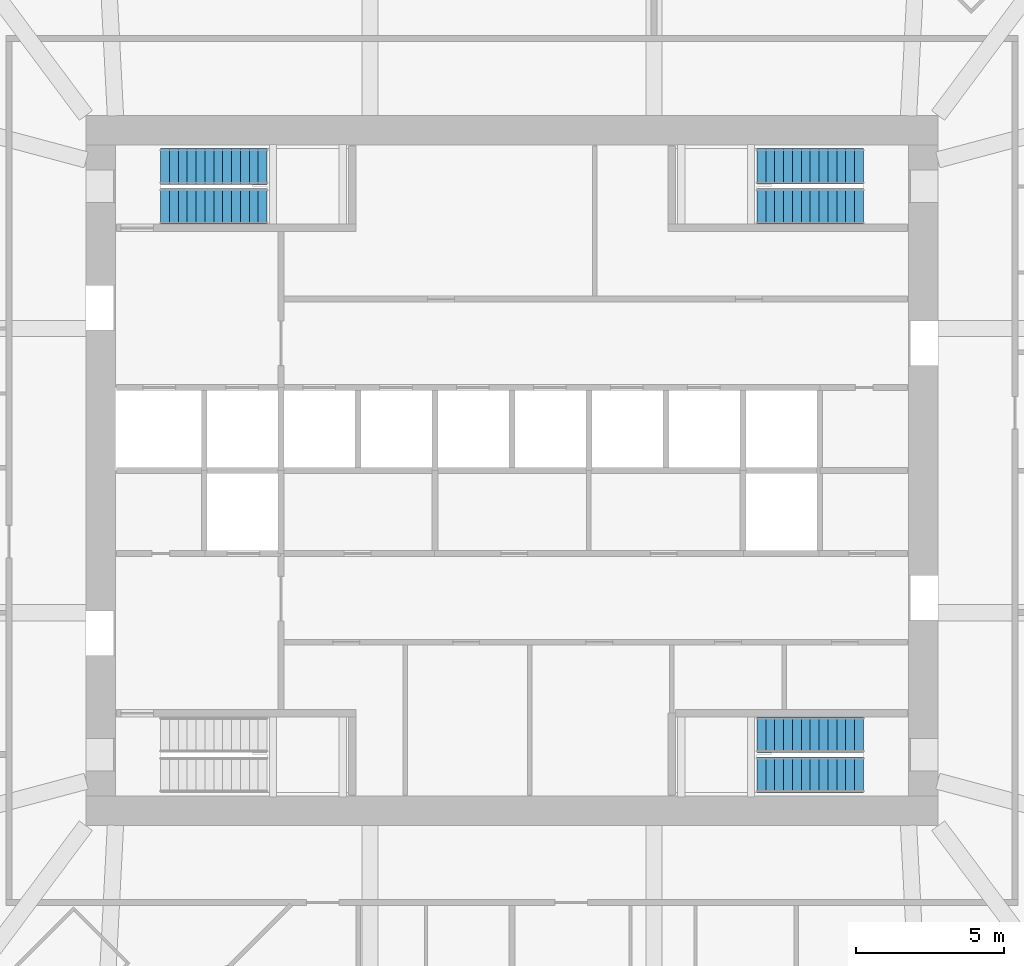
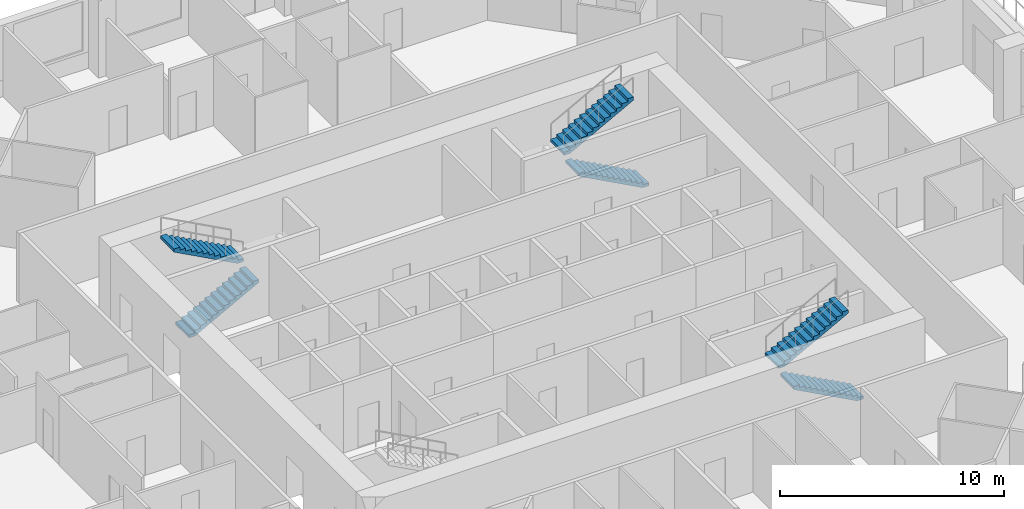
# One storey, part 11 of 13: 6 stair flights, 3 elements without a shape of their own.
"""IFC4 building model written with IfcOpenShell, lengths in metres."""

import ifcopenshell
import ifcopenshell.guid

model = None  # the IFC model being written
_history = None  # IfcOwnerHistory: only IFC2X3 demands one
_inside = {}  # id of a spatial element -> (the spatial element, [elements in it])
_under = {}  # id of a project, library or spatial element -> (it, [spatial elements below it])
_declared = {}  # id of a project -> (the project, [libraries it declares])
_typed = {}  # id of a type object -> (the type object, [elements of that type])
_made_of = {}  # id of a material, layer set ... -> (it, [elements and type objects made of it])


def new_model(schema):
    """Start an empty IFC model of exactly this schema.

    Asked for "IFC4X3", IfcOpenShell would pick the latest addendum, in which some entities
    have other attributes; the version numbers below select the first issue.
    IFC2X3 requires an IfcOwnerHistory on every rooted entity: one is made here for all.
    """
    global model, _history
    if schema == "IFC4X3":
        model = ifcopenshell.file(schema_version=(4, 3, 0, 0))
    else:
        model = ifcopenshell.file(schema=schema)
    _inside.clear()
    _under.clear()
    _declared.clear()
    _typed.clear()
    _made_of.clear()
    _history = None
    if model.schema == "IFC2X3":
        org = make("IfcOrganization", Name="unknown")
        user = make(
            "IfcPersonAndOrganization",
            ThePerson=make("IfcPerson", FamilyName="unknown"),
            TheOrganization=org,
        )
        app = make(
            "IfcApplication",
            ApplicationDeveloper=org,
            Version="unknown",
            ApplicationFullName="unknown",
            ApplicationIdentifier="unknown",
        )
        _history = make(
            "IfcOwnerHistory",
            OwningUser=user,
            OwningApplication=app,
            ChangeAction="ADDED",
            CreationDate=0,
        )
    return model


def make(cls, **values):
    """One entity of the class cls with the attributes given. An attribute that is None is left unset."""
    return model.create_entity(
        cls, **{name: value for name, value in values.items() if value is not None}
    )


def rooted(cls, **values):
    """An entity with a GlobalId (a new one), such as an element, a storey or a relation."""
    return make(cls, GlobalId=ifcopenshell.guid.new(), OwnerHistory=_history, **values)


def si_unit(unit_type, name, prefix=None):
    """IfcSIUnit, for example si_unit("LENGTHUNIT", "METRE", prefix="MILLI")."""
    return make("IfcSIUnit", UnitType=unit_type, Prefix=prefix, Name=name)


def assignment(units):
    """IfcUnitAssignment: the units of a project."""
    return None if units is None else make("IfcUnitAssignment", Units=units)


def point(xyz):
    """IfcCartesianPoint."""
    return None if xyz is None else make("IfcCartesianPoint", Coordinates=xyz)


def direction(xyz):
    """IfcDirection."""
    return None if xyz is None else make("IfcDirection", DirectionRatios=xyz)


def frame(location, z_axis=None, x_axis=None):
    """IfcAxis2Placement3D, a coordinate frame: its origin and axes. An axis left out is left unset."""
    return make(
        "IfcAxis2Placement3D",
        Location=point(location),
        Axis=direction(z_axis),
        RefDirection=direction(x_axis),
    )


def origin():
    """The frame at (0, 0, 0) with its axes left unset."""
    return frame((0.0, 0.0, 0.0))


def place(relative_to, where):
    """IfcLocalPlacement: puts the frame where relative to a parent placement (None: the world)."""
    return make(
        "IfcLocalPlacement", PlacementRelTo=relative_to, RelativePlacement=where
    )


def context(
    kind, dimensions, precision=None, world=None, true_north=None, identifier=None
):
    """IfcGeometricRepresentationContext, for example the 3D "Model" context."""
    return make(
        "IfcGeometricRepresentationContext",
        ContextIdentifier=identifier,
        ContextType=kind,
        CoordinateSpaceDimension=dimensions,
        Precision=precision,
        WorldCoordinateSystem=world,
        TrueNorth=true_north,
    )


def subcontext(parent, identifier, kind, view, scale=None):
    """IfcGeometricRepresentationSubContext, for example "Body" below "Model"."""
    return make(
        "IfcGeometricRepresentationSubContext",
        ContextIdentifier=identifier,
        ContextType=kind,
        ParentContext=parent,
        TargetScale=scale,
        TargetView=view,
    )


def project(units=None, contexts=None):
    """IfcProject with its units and contexts."""
    return rooted(
        "IfcProject",
        Name="project",
        RepresentationContexts=contexts,
        UnitsInContext=assignment(units),
    )


def spatial(cls, under=None, at=None, **own):
    """A site, building, storey or space (cls), placed at a placement, below another one or the project."""
    s = rooted(cls, ObjectPlacement=at, **own)
    if under is not None:
        _under.setdefault(under.id(), (under, []))[1].append(s)
    return s


def polyline(points):
    """IfcPolyline through the points."""
    return make("IfcPolyline", Points=[point(p) for p in points])


def outline(outer, holes=None, kind="AREA"):
    """IfcArbitraryClosedProfileDef: a profile drawn as a closed curve; with holes, ...WithVoids."""
    if holes is None:
        return make("IfcArbitraryClosedProfileDef", ProfileType=kind, OuterCurve=outer)
    return make(
        "IfcArbitraryProfileDefWithVoids",
        ProfileType=kind,
        OuterCurve=outer,
        InnerCurves=holes,
    )


def extrude(swept, where, along, depth):
    """IfcExtrudedAreaSolid: the profile swept, set in the frame where, extruded along a direction by depth."""
    return make(
        "IfcExtrudedAreaSolid",
        SweptArea=swept,
        Position=where,
        ExtrudedDirection=direction(along),
        Depth=depth,
    )


def shape(context_of_items, identifier, shape_type, items):
    """IfcShapeRepresentation: the items that make up one representation, for example the "Body"."""
    return make(
        "IfcShapeRepresentation",
        ContextOfItems=context_of_items,
        RepresentationIdentifier=identifier,
        RepresentationType=shape_type,
        Items=items,
    )


def material(Name=None, Category=None):
    """IfcMaterial."""
    return make("IfcMaterial", Name=Name, Category=Category)


def made_of(thing, what):
    """Note that an element or type object is made of a material, layer set ...; save() writes the relation."""
    if what is not None:
        _made_of.setdefault(what.id(), (what, []))[1].append(thing)
    return thing


def type_object(cls, material=None, **own):
    """A type object (cls), such as IfcWallType, which elements share."""
    return made_of(rooted(cls, **own), material)


def element(
    cls,
    number,
    at=None,
    inside=None,
    cuts=None,
    type_object=None,
    material=None,
    context=None,
    identifier="Body",
    shape_type=None,
    held_by="IfcProductDefinitionShape",
    body=None,
    shapes=None,
    **own,
):
    """One element of the class cls, such as IfcWall. Its Tag is "e" and its number.

    at: its placement. inside: the storey or other place that contains it. cuts: it is an
    opening in that element (IfcRelVoidsElement). A single representation is given by context,
    identifier, shape_type and body (its items); several are given by shapes. held_by: the class
    of the entity that holds the representations. save() writes the other relations.
    """
    e = rooted(cls, Tag="e%d" % number, ObjectPlacement=at, **own)
    if body is not None:
        shapes = [shape(context, identifier, shape_type, body)]
    if shapes is not None:
        e.Representation = make(held_by, Representations=shapes)
    if inside is not None:
        _inside.setdefault(inside.id(), (inside, []))[1].append(e)
    if cuts is not None:
        rooted(
            "IfcRelVoidsElement", RelatingBuildingElement=cuts, RelatedOpeningElement=e
        )
    if type_object is not None:
        _typed.setdefault(type_object.id(), (type_object, []))[1].append(e)
    return made_of(e, material)


def aggregate(whole, parts):
    """IfcRelAggregates: a whole, such as a stair, and the parts it consists of."""
    return rooted("IfcRelAggregates", RelatingObject=whole, RelatedObjects=parts)


def save(model, path):
    """Write the relations noted so far, then the file.

    IfcRelAggregates (storeys below a building ...), IfcRelContainedInSpatialStructure (elements
    in a storey), IfcRelDefinesByType, IfcRelAssociatesMaterial and IfcRelDeclares: one each for
    every whole, place, type object, material and project.
    """
    for whole, parts in _under.values():
        aggregate(whole, parts)
    for where, things in _inside.values():
        rooted(
            "IfcRelContainedInSpatialStructure",
            RelatedElements=things,
            RelatingStructure=where,
        )
    for kind, things in _typed.values():
        rooted("IfcRelDefinesByType", RelatedObjects=things, RelatingType=kind)
    for what, things in _made_of.values():
        rooted("IfcRelAssociatesMaterial", RelatedObjects=things, RelatingMaterial=what)
    for by, libraries in _declared.values():
        rooted("IfcRelDeclares", RelatingContext=by, RelatedDefinitions=libraries)
    model.write(path)


model = new_model("IFC4")

# Units and contexts
model_context = context("Model", 3, precision=1e-05, world=origin(), true_north=direction((0.0, 1.0)))
body_context = subcontext(model_context, "Body", "Model", "MODEL_VIEW")
ifc_project = project(units=[si_unit("LENGTHUNIT", "METRE"), si_unit("AREAUNIT", "SQUARE_METRE"), si_unit("VOLUMEUNIT", "CUBIC_METRE"), si_unit("PLANEANGLEUNIT", "RADIAN"), si_unit("MASSUNIT", "GRAM", prefix="KILO")], contexts=[model_context])

# Site, building, storey
site_placement = place(None, origin())
site = spatial("IfcSite", under=ifc_project, at=site_placement, CompositionType="ELEMENT")
building_placement = place(site_placement, origin())
building = spatial("IfcBuilding", under=site, at=building_placement, Name="Msitu Wima Residences", CompositionType="ELEMENT")
storey_placement = place(building_placement, frame((0.0, 0.0, 96.89990234375)))
storey = spatial("IfcBuildingStorey", under=building, at=storey_placement, Name="L22", CompositionType="ELEMENT", Elevation=96.89990234375)

# Stair, stair flights
ifc_material = material(Name="Concrete C40/50", Category="concrete")
stair_type = type_object("IfcStairType", Name="Exit stair ES1615-120", PredefinedType="HALF_TURN_STAIR", material=ifc_material)
stair_1_placement = place(storey_placement, origin())
stair_1 = element("IfcStair", 1, at=stair_1_placement, inside=storey, type_object=stair_type, Name="Exit stair 1", PredefinedType="HALF_TURN_STAIR")
stair_flight_type = type_object("IfcStairFlightType", Name="Exit stair flight ES1615-120", PredefinedType="STRAIGHT", material=ifc_material)
stair_flight_1_placement = place(storey_placement, frame((-11.875, 8.925048828125, 0.0), z_axis=(0.0, 0.0, 1.0), x_axis=(1.0, 0.0, 0.0)))
stair_flight_1 = element("IfcStairFlight", 2, at=stair_flight_1_placement, type_object=stair_flight_type, Name="S1 flight 1", NumberOfRisers=13, NumberOfTreads=12, PredefinedType="STRAIGHT", RiserHeight=0.161538462, TreadLength=0.3, context=body_context, shape_type="SweptSolid", body=[
    extrude(outline(polyline([(0.0, 0.0), (0.0, 0.16162109375), (0.300048828125, 0.16162109375), (0.300048828125, 0.322998046875), (0.60009765625, 0.322998046875), (0.60009765625, 0.484619140625), (0.89990234375, 0.484619140625), (0.89990234375, 0.646240234375), (1.199951171875, 0.646240234375), (1.199951171875, 0.8076171875), (1.5, 0.8076171875), (1.5, 0.96923828125), (1.800048828125, 0.96923828125), (1.800048828125, 1.130859375), (2.10009765625, 1.130859375), (2.10009765625, 1.292236328125), (2.39990234375, 1.292236328125), (2.39990234375, 1.453857421875), (2.699951171875, 1.453857421875), (2.699951171875, 1.615478515625), (3.0, 1.615478515625), (3.0, 1.77685546875), (3.300048828125, 1.77685546875), (3.300048828125, 1.9384765625), (3.60009765625, 1.9384765625), (3.60009765625, 2.10009765625), (3.60009765625, 1.768310546875), (0.316162109375, 0.0), (0.0, 0.0)])), frame((0.0, 0.60009765625, 0.0), z_axis=(0.0, -1.0, 0.0), x_axis=(1.0, 0.0, 0.0)), (0.0, 0.0, 1.0), 1.199951171875),
])
stair_flight_2_placement = place(storey_placement, frame((-8.27490234375, 10.27490234375, 2.10009765625), z_axis=(0.0, 0.0, 1.0), x_axis=(-1.0, 0.0, 0.0)))
stair_flight_2 = element("IfcStairFlight", 3, at=stair_flight_2_placement, type_object=stair_flight_type, Name="S1 flight 2", NumberOfRisers=13, NumberOfTreads=12, PredefinedType="STRAIGHT", RiserHeight=0.161538462, TreadLength=0.3, context=body_context, shape_type="SweptSolid", body=[
    extrude(outline(polyline([(0.0, 0.0), (0.0, 0.16162109375), (0.300048828125, 0.16162109375), (0.300048828125, 0.322998046875), (0.60009765625, 0.322998046875), (0.60009765625, 0.484619140625), (0.89990234375, 0.484619140625), (0.89990234375, 0.646240234375), (1.199951171875, 0.646240234375), (1.199951171875, 0.8076171875), (1.5, 0.8076171875), (1.5, 0.96923828125), (1.800048828125, 0.96923828125), (1.800048828125, 1.130859375), (2.10009765625, 1.130859375), (2.10009765625, 1.292236328125), (2.39990234375, 1.292236328125), (2.39990234375, 1.453857421875), (2.699951171875, 1.453857421875), (2.699951171875, 1.615478515625), (3.0, 1.615478515625), (3.0, 1.77685546875), (3.300048828125, 1.77685546875), (3.300048828125, 1.9384765625), (3.60009765625, 1.9384765625), (3.60009765625, 2.10009765625), (3.60009765625, 1.768310546875), (0.316162109375, 0.0), (0.0, 0.0)])), frame((0.0, 0.60009765625, 0.0), z_axis=(0.0, -1.0, 0.0), x_axis=(1.0, 0.0, 0.0)), (0.0, 0.0, 1.0), 1.199951171875),
])
aggregate(stair_1, [stair_flight_1, stair_flight_2])

stair_2_placement = place(storey_placement, origin())
stair_2 = element("IfcStair", 4, at=stair_2_placement, inside=storey, type_object=stair_type, Name="Exit stair 3", PredefinedType="HALF_TURN_STAIR")
stair_flight_3_placement = place(storey_placement, frame((11.875, 8.925048828125, 0.0), z_axis=(0.0, 0.0, 1.0), x_axis=(-1.0, 0.0, 0.0)))
stair_flight_3 = element("IfcStairFlight", 5, at=stair_flight_3_placement, type_object=stair_flight_type, Name="S3 flight 1", NumberOfRisers=13, NumberOfTreads=12, PredefinedType="STRAIGHT", RiserHeight=0.161538462, TreadLength=0.3, context=body_context, shape_type="SweptSolid", body=[
    extrude(outline(polyline([(0.0, 0.0), (0.0, 0.16162109375), (0.300048828125, 0.16162109375), (0.300048828125, 0.322998046875), (0.60009765625, 0.322998046875), (0.60009765625, 0.484619140625), (0.89990234375, 0.484619140625), (0.89990234375, 0.646240234375), (1.199951171875, 0.646240234375), (1.199951171875, 0.8076171875), (1.5, 0.8076171875), (1.5, 0.96923828125), (1.800048828125, 0.96923828125), (1.800048828125, 1.130859375), (2.10009765625, 1.130859375), (2.10009765625, 1.292236328125), (2.39990234375, 1.292236328125), (2.39990234375, 1.453857421875), (2.699951171875, 1.453857421875), (2.699951171875, 1.615478515625), (3.0, 1.615478515625), (3.0, 1.77685546875), (3.300048828125, 1.77685546875), (3.300048828125, 1.9384765625), (3.60009765625, 1.9384765625), (3.60009765625, 2.10009765625), (3.60009765625, 1.768310546875), (0.316162109375, 0.0), (0.0, 0.0)])), frame((0.0, 0.60009765625, 0.0), z_axis=(0.0, -1.0, 0.0), x_axis=(1.0, 0.0, 0.0)), (0.0, 0.0, 1.0), 1.199951171875),
])
stair_flight_4_placement = place(storey_placement, frame((8.27490234375, 10.27490234375, 2.10009765625), z_axis=(0.0, 0.0, 1.0), x_axis=(1.0, 0.0, 0.0)))
stair_flight_4 = element("IfcStairFlight", 6, at=stair_flight_4_placement, type_object=stair_flight_type, Name="S3 flight 2", NumberOfRisers=13, NumberOfTreads=12, PredefinedType="STRAIGHT", RiserHeight=0.161538462, TreadLength=0.3, context=body_context, shape_type="SweptSolid", body=[
    extrude(outline(polyline([(0.0, 0.0), (0.0, 0.16162109375), (0.300048828125, 0.16162109375), (0.300048828125, 0.322998046875), (0.60009765625, 0.322998046875), (0.60009765625, 0.484619140625), (0.89990234375, 0.484619140625), (0.89990234375, 0.646240234375), (1.199951171875, 0.646240234375), (1.199951171875, 0.8076171875), (1.5, 0.8076171875), (1.5, 0.96923828125), (1.800048828125, 0.96923828125), (1.800048828125, 1.130859375), (2.10009765625, 1.130859375), (2.10009765625, 1.292236328125), (2.39990234375, 1.292236328125), (2.39990234375, 1.453857421875), (2.699951171875, 1.453857421875), (2.699951171875, 1.615478515625), (3.0, 1.615478515625), (3.0, 1.77685546875), (3.300048828125, 1.77685546875), (3.300048828125, 1.9384765625), (3.60009765625, 1.9384765625), (3.60009765625, 2.10009765625), (3.60009765625, 1.768310546875), (0.316162109375, 0.0), (0.0, 0.0)])), frame((0.0, 0.60009765625, 0.0), z_axis=(0.0, -1.0, 0.0), x_axis=(1.0, 0.0, 0.0)), (0.0, 0.0, 1.0), 1.199951171875),
])
aggregate(stair_2, [stair_flight_3, stair_flight_4])

stair_3_placement = place(storey_placement, origin())
stair_3 = element("IfcStair", 7, at=stair_3_placement, inside=storey, type_object=stair_type, Name="Exit stair 4", PredefinedType="HALF_TURN_STAIR")
stair_flight_5_placement = place(storey_placement, frame((11.875, -10.27490234375, 0.0), z_axis=(0.0, 0.0, 1.0), x_axis=(-1.0, 0.0, 0.0)))
stair_flight_5 = element("IfcStairFlight", 8, at=stair_flight_5_placement, type_object=stair_flight_type, Name="S4 flight 1", NumberOfRisers=13, NumberOfTreads=12, PredefinedType="STRAIGHT", RiserHeight=0.161538462, TreadLength=0.3, context=body_context, shape_type="SweptSolid", body=[
    extrude(outline(polyline([(0.0, 0.0), (0.0, 0.16162109375), (0.300048828125, 0.16162109375), (0.300048828125, 0.322998046875), (0.60009765625, 0.322998046875), (0.60009765625, 0.484619140625), (0.89990234375, 0.484619140625), (0.89990234375, 0.646240234375), (1.199951171875, 0.646240234375), (1.199951171875, 0.8076171875), (1.5, 0.8076171875), (1.5, 0.96923828125), (1.800048828125, 0.96923828125), (1.800048828125, 1.130859375), (2.10009765625, 1.130859375), (2.10009765625, 1.292236328125), (2.39990234375, 1.292236328125), (2.39990234375, 1.453857421875), (2.699951171875, 1.453857421875), (2.699951171875, 1.615478515625), (3.0, 1.615478515625), (3.0, 1.77685546875), (3.300048828125, 1.77685546875), (3.300048828125, 1.9384765625), (3.60009765625, 1.9384765625), (3.60009765625, 2.10009765625), (3.60009765625, 1.768310546875), (0.316162109375, 0.0), (0.0, 0.0)])), frame((0.0, 0.60009765625, 0.0), z_axis=(0.0, -1.0, 0.0), x_axis=(1.0, 0.0, 0.0)), (0.0, 0.0, 1.0), 1.199951171875),
])
stair_flight_6_placement = place(storey_placement, frame((8.27490234375, -8.925048828125, 2.10009765625), z_axis=(0.0, 0.0, 1.0), x_axis=(1.0, 0.0, 0.0)))
stair_flight_6 = element("IfcStairFlight", 9, at=stair_flight_6_placement, type_object=stair_flight_type, Name="S4 flight 2", NumberOfRisers=13, NumberOfTreads=12, PredefinedType="STRAIGHT", RiserHeight=0.161538462, TreadLength=0.3, context=body_context, shape_type="SweptSolid", body=[
    extrude(outline(polyline([(0.0, 0.0), (0.0, 0.16162109375), (0.300048828125, 0.16162109375), (0.300048828125, 0.322998046875), (0.60009765625, 0.322998046875), (0.60009765625, 0.484619140625), (0.89990234375, 0.484619140625), (0.89990234375, 0.646240234375), (1.199951171875, 0.646240234375), (1.199951171875, 0.8076171875), (1.5, 0.8076171875), (1.5, 0.96923828125), (1.800048828125, 0.96923828125), (1.800048828125, 1.130859375), (2.10009765625, 1.130859375), (2.10009765625, 1.292236328125), (2.39990234375, 1.292236328125), (2.39990234375, 1.453857421875), (2.699951171875, 1.453857421875), (2.699951171875, 1.615478515625), (3.0, 1.615478515625), (3.0, 1.77685546875), (3.300048828125, 1.77685546875), (3.300048828125, 1.9384765625), (3.60009765625, 1.9384765625), (3.60009765625, 2.10009765625), (3.60009765625, 1.768310546875), (0.316162109375, 0.0), (0.0, 0.0)])), frame((0.0, 0.60009765625, 0.0), z_axis=(0.0, -1.0, 0.0), x_axis=(1.0, 0.0, 0.0)), (0.0, 0.0, 1.0), 1.199951171875),
])
aggregate(stair_3, [stair_flight_5, stair_flight_6])

save(model, "model.ifc")
